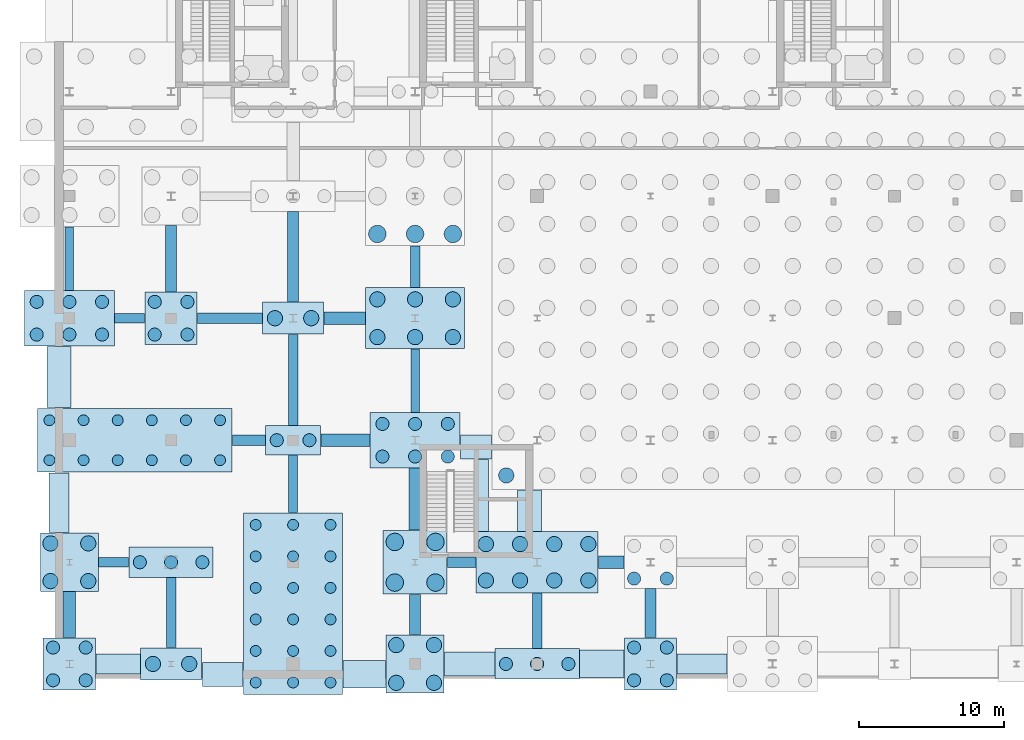
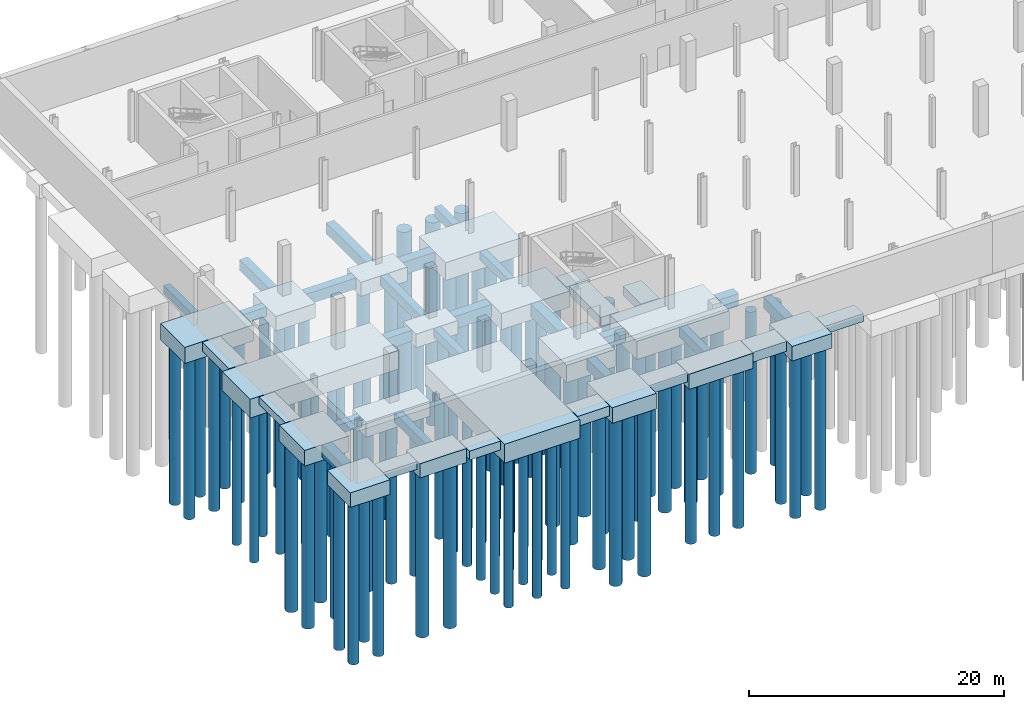
# One storey, part 1 of 32: 98 piles, 49 footings.
"""IFC4 building model written with IfcOpenShell, lengths in metres."""

import ifcopenshell
import ifcopenshell.guid

model = None  # the IFC model being written
_history = None  # IfcOwnerHistory: only IFC2X3 demands one
_inside = {}  # id of a spatial element -> (the spatial element, [elements in it])
_under = {}  # id of a project, library or spatial element -> (it, [spatial elements below it])
_declared = {}  # id of a project -> (the project, [libraries it declares])
_typed = {}  # id of a type object -> (the type object, [elements of that type])
_made_of = {}  # id of a material, layer set ... -> (it, [elements and type objects made of it])


def new_model(schema):
    """Start an empty IFC model of exactly this schema.

    Asked for "IFC4X3", IfcOpenShell would pick the latest addendum, in which some entities
    have other attributes; the version numbers below select the first issue.
    IFC2X3 requires an IfcOwnerHistory on every rooted entity: one is made here for all.
    """
    global model, _history
    if schema == "IFC4X3":
        model = ifcopenshell.file(schema_version=(4, 3, 0, 0))
    else:
        model = ifcopenshell.file(schema=schema)
    _inside.clear()
    _under.clear()
    _declared.clear()
    _typed.clear()
    _made_of.clear()
    _history = None
    if model.schema == "IFC2X3":
        org = make("IfcOrganization", Name="unknown")
        user = make(
            "IfcPersonAndOrganization",
            ThePerson=make("IfcPerson", FamilyName="unknown"),
            TheOrganization=org,
        )
        app = make(
            "IfcApplication",
            ApplicationDeveloper=org,
            Version="unknown",
            ApplicationFullName="unknown",
            ApplicationIdentifier="unknown",
        )
        _history = make(
            "IfcOwnerHistory",
            OwningUser=user,
            OwningApplication=app,
            ChangeAction="ADDED",
            CreationDate=0,
        )
    return model


def make(cls, **values):
    """One entity of the class cls with the attributes given. An attribute that is None is left unset."""
    return model.create_entity(
        cls, **{name: value for name, value in values.items() if value is not None}
    )


def rooted(cls, **values):
    """An entity with a GlobalId (a new one), such as an element, a storey or a relation."""
    return make(cls, GlobalId=ifcopenshell.guid.new(), OwnerHistory=_history, **values)


def si_unit(unit_type, name, prefix=None):
    """IfcSIUnit, for example si_unit("LENGTHUNIT", "METRE", prefix="MILLI")."""
    return make("IfcSIUnit", UnitType=unit_type, Prefix=prefix, Name=name)


def assignment(units):
    """IfcUnitAssignment: the units of a project."""
    return None if units is None else make("IfcUnitAssignment", Units=units)


def point(xyz):
    """IfcCartesianPoint."""
    return None if xyz is None else make("IfcCartesianPoint", Coordinates=xyz)


def direction(xyz):
    """IfcDirection."""
    return None if xyz is None else make("IfcDirection", DirectionRatios=xyz)


def frame(location, z_axis=None, x_axis=None):
    """IfcAxis2Placement3D, a coordinate frame: its origin and axes. An axis left out is left unset."""
    return make(
        "IfcAxis2Placement3D",
        Location=point(location),
        Axis=direction(z_axis),
        RefDirection=direction(x_axis),
    )


def frame_2d(location, x_axis=None):
    """IfcAxis2Placement2D, a coordinate frame in the plane: its origin and x axis."""
    return make(
        "IfcAxis2Placement2D", Location=point(location), RefDirection=direction(x_axis)
    )


def origin_with_axes():
    """The frame at (0, 0, 0) with the z axis (0, 0, 1) and the x axis (1, 0, 0) written out."""
    return frame((0.0, 0.0, 0.0), z_axis=(0.0, 0.0, 1.0), x_axis=(1.0, 0.0, 0.0))


def origin_2d_with_axis():
    """The frame at (0, 0) in the plane with the x axis (1, 0) written out."""
    return frame_2d((0.0, 0.0), x_axis=(1.0, 0.0))


def place(relative_to, where):
    """IfcLocalPlacement: puts the frame where relative to a parent placement (None: the world)."""
    return make(
        "IfcLocalPlacement", PlacementRelTo=relative_to, RelativePlacement=where
    )


def context(
    kind, dimensions, precision=None, world=None, true_north=None, identifier=None
):
    """IfcGeometricRepresentationContext, for example the 3D "Model" context."""
    return make(
        "IfcGeometricRepresentationContext",
        ContextIdentifier=identifier,
        ContextType=kind,
        CoordinateSpaceDimension=dimensions,
        Precision=precision,
        WorldCoordinateSystem=world,
        TrueNorth=true_north,
    )


def subcontext(parent, identifier, kind, view, scale=None):
    """IfcGeometricRepresentationSubContext, for example "Body" below "Model"."""
    return make(
        "IfcGeometricRepresentationSubContext",
        ContextIdentifier=identifier,
        ContextType=kind,
        ParentContext=parent,
        TargetScale=scale,
        TargetView=view,
    )


def project(units=None, contexts=None):
    """IfcProject with its units and contexts."""
    return rooted(
        "IfcProject",
        Name="project",
        RepresentationContexts=contexts,
        UnitsInContext=assignment(units),
    )


def spatial(cls, under=None, at=None, **own):
    """A site, building, storey or space (cls), placed at a placement, below another one or the project."""
    s = rooted(cls, ObjectPlacement=at, **own)
    if under is not None:
        _under.setdefault(under.id(), (under, []))[1].append(s)
    return s


def profile(cls, at=None, kind="AREA", **sizes):
    """A parametric profile (cls). Its sizes go by their IFC names, for example OverallWidth=200.0."""
    return make(cls, ProfileType=kind, Position=at, **sizes)


def rectangle(**sizes):
    """IfcRectangleProfileDef."""
    return profile("IfcRectangleProfileDef", **sizes)


def circle(**sizes):
    """IfcCircleProfileDef."""
    return profile("IfcCircleProfileDef", **sizes)


def extrude(swept, where, along, depth):
    """IfcExtrudedAreaSolid: the profile swept, set in the frame where, extruded along a direction by depth."""
    return make(
        "IfcExtrudedAreaSolid",
        SweptArea=swept,
        Position=where,
        ExtrudedDirection=direction(along),
        Depth=depth,
    )


def shape(context_of_items, identifier, shape_type, items):
    """IfcShapeRepresentation: the items that make up one representation, for example the "Body"."""
    return make(
        "IfcShapeRepresentation",
        ContextOfItems=context_of_items,
        RepresentationIdentifier=identifier,
        RepresentationType=shape_type,
        Items=items,
    )


def material(Name=None, Category=None):
    """IfcMaterial."""
    return make("IfcMaterial", Name=Name, Category=Category)


def material_profile(
    of_material, cross_section, Name=None, Category=None, Priority=None
):
    """IfcMaterialProfile: a cross section and its material."""
    return make(
        "IfcMaterialProfile",
        Name=Name,
        Material=of_material,
        Profile=cross_section,
        Priority=Priority,
        Category=Category,
    )


def profile_set(profiles, Name=None, composite=None):
    """IfcMaterialProfileSet."""
    return make(
        "IfcMaterialProfileSet",
        Name=Name,
        MaterialProfiles=profiles,
        CompositeProfile=composite,
    )


def made_of(thing, what):
    """Note that an element or type object is made of a material, layer set ...; save() writes the relation."""
    if what is not None:
        _made_of.setdefault(what.id(), (what, []))[1].append(thing)
    return thing


def type_object(cls, material=None, **own):
    """A type object (cls), such as IfcWallType, which elements share."""
    return made_of(rooted(cls, **own), material)


def element(
    cls,
    number,
    at=None,
    inside=None,
    cuts=None,
    type_object=None,
    material=None,
    context=None,
    identifier="Body",
    shape_type=None,
    held_by="IfcProductDefinitionShape",
    body=None,
    shapes=None,
    **own,
):
    """One element of the class cls, such as IfcWall. Its Tag is "e" and its number.

    at: its placement. inside: the storey or other place that contains it. cuts: it is an
    opening in that element (IfcRelVoidsElement). A single representation is given by context,
    identifier, shape_type and body (its items); several are given by shapes. held_by: the class
    of the entity that holds the representations. save() writes the other relations.
    """
    e = rooted(cls, Tag="e%d" % number, ObjectPlacement=at, **own)
    if body is not None:
        shapes = [shape(context, identifier, shape_type, body)]
    if shapes is not None:
        e.Representation = make(held_by, Representations=shapes)
    if inside is not None:
        _inside.setdefault(inside.id(), (inside, []))[1].append(e)
    if cuts is not None:
        rooted(
            "IfcRelVoidsElement", RelatingBuildingElement=cuts, RelatedOpeningElement=e
        )
    if type_object is not None:
        _typed.setdefault(type_object.id(), (type_object, []))[1].append(e)
    return made_of(e, material)


def aggregate(whole, parts):
    """IfcRelAggregates: a whole, such as a stair, and the parts it consists of."""
    return rooted("IfcRelAggregates", RelatingObject=whole, RelatedObjects=parts)


def save(model, path):
    """Write the relations noted so far, then the file.

    IfcRelAggregates (storeys below a building ...), IfcRelContainedInSpatialStructure (elements
    in a storey), IfcRelDefinesByType, IfcRelAssociatesMaterial and IfcRelDeclares: one each for
    every whole, place, type object, material and project.
    """
    for whole, parts in _under.values():
        aggregate(whole, parts)
    for where, things in _inside.values():
        rooted(
            "IfcRelContainedInSpatialStructure",
            RelatedElements=things,
            RelatingStructure=where,
        )
    for kind, things in _typed.values():
        rooted("IfcRelDefinesByType", RelatedObjects=things, RelatingType=kind)
    for what, things in _made_of.values():
        rooted("IfcRelAssociatesMaterial", RelatedObjects=things, RelatingMaterial=what)
    for by, libraries in _declared.values():
        rooted("IfcRelDeclares", RelatingContext=by, RelatedDefinitions=libraries)
    model.write(path)


model = new_model("IFC4")

# Units and contexts
model_context = context("Model", 3, precision=1e-05, world=origin_with_axes(), true_north=direction((0.0, 1.0)))
body_context = subcontext(model_context, "Body", "Model", "MODEL_VIEW")
ifc_project = project(units=[si_unit("LENGTHUNIT", "METRE"), si_unit("AREAUNIT", "SQUARE_METRE"), si_unit("VOLUMEUNIT", "CUBIC_METRE"), si_unit("PLANEANGLEUNIT", "RADIAN"), si_unit("MASSUNIT", "GRAM", prefix="KILO"), si_unit("THERMODYNAMICTEMPERATUREUNIT", "KELVIN")], contexts=[model_context])

# Site, building, storey
site_placement = place(None, origin_with_axes())
site = spatial("IfcSite", under=ifc_project, at=site_placement, CompositionType="ELEMENT")
building_placement = place(site_placement, origin_with_axes())
building = spatial("IfcBuilding", under=site, at=building_placement, Name="Montbau Bow Law Courts", CompositionType="ELEMENT")
storey_placement = place(building_placement, frame((0.0, 0.0, -4.8), z_axis=(0.0, 0.0, 1.0), x_axis=(1.0, 0.0, 0.0)))
storey = spatial("IfcBuildingStorey", under=building, at=storey_placement, Name="B1", CompositionType="ELEMENT", Elevation=-4.8)

# Footings
ifc_material_1 = material(Name="Concrete CSA A23.1 f'c 35 MPa", Category="concrete")
footing_type_1 = type_object("IfcFootingType", Name="FB-01", PredefinedType="FOOTING_BEAM", material=ifc_material_1)
for number, where, z_axis, x_axis, name in (
    (1, (9.85, 13.8, -6.25), (0.0, 0.0, 1.0), (1.0, 0.0, 0.0), "FB-001:fbm2_0019"),
    (2, (10.95, 30.6, -6.25), (0.0, 0.0, 1.0), (1.0, 0.0, 0.0), "FB-021:fbm2_0039"),
):
    element("IfcFooting", number, at=place(None, frame(where, z_axis=z_axis, x_axis=x_axis)), inside=storey, type_object=footing_type_1, Name=name, PredefinedType="FOOTING_BEAM", context=body_context, shape_type="SweptSolid", body=[
        extrude(rectangle(XDim=2.07, YDim=0.65, at=origin_2d_with_axis()), origin_with_axes(), (0.0, 0.0, 1.0), 0.9),
    ])
footing_1_placement = place(None, frame((13.8, 10.325, -6.25), z_axis=(0.0, 0.0, 1.0), x_axis=(0.0, 1.0, 0.0)))
element("IfcFooting", 3, at=footing_1_placement, inside=storey, type_object=footing_type_1, Name="FB-097:fbm2_0115", PredefinedType="FOOTING_BEAM", context=body_context, shape_type="SweptSolid", body=[
    extrude(rectangle(XDim=4.82, YDim=0.65, at=origin_2d_with_axis()), origin_with_axes(), (0.0, 0.0, 1.0), 0.9),
])
footing_2_placement = place(None, frame((22.2, 26.35, -6.25), z_axis=(0.0, 0.0, 1.0), x_axis=(0.0, 1.0, 0.0)))
element("IfcFooting", 4, at=footing_2_placement, inside=storey, type_object=footing_type_1, Name="FB-101:fbm2_0119", PredefinedType="FOOTING_BEAM", context=body_context, shape_type="SweptSolid", body=[
    extrude(rectangle(XDim=6.27, YDim=0.65, at=origin_2d_with_axis()), origin_with_axes(), (0.0, 0.0, 1.0), 0.9),
])
footing_3_placement = place(None, frame((30.6, 34.15, -6.25), z_axis=(0.0, 0.0, 1.0), x_axis=(0.0, 1.0, 0.0)))
element("IfcFooting", 5, at=footing_3_placement, inside=storey, type_object=footing_type_1, Name="FB-109:fbm2_0127", PredefinedType="FOOTING_BEAM", context=body_context, shape_type="SweptSolid", body=[
    extrude(rectangle(XDim=2.87, YDim=0.65, at=origin_2d_with_axis()), origin_with_axes(), (0.0, 0.0, 1.0), 0.9),
])
footing_4_placement = place(None, frame((39.0, 9.775, -6.25), z_axis=(0.0, 0.0, 1.0), x_axis=(0.0, 1.0, 0.0)))
element("IfcFooting", 6, at=footing_4_placement, inside=storey, type_object=footing_type_1, Name="FB-113:fbm2_0131", PredefinedType="FOOTING_BEAM", context=body_context, shape_type="SweptSolid", body=[
    extrude(rectangle(XDim=3.82, YDim=0.65, at=origin_2d_with_axis()), origin_with_axes(), (0.0, 0.0, 1.0), 0.9),
])
footing_type_2 = type_object("IfcFootingType", Name="FB-02", PredefinedType="FOOTING_BEAM", material=ifc_material_1)
footing_5_placement = place(None, frame((33.8, 13.8, -6.4), z_axis=(0.0, 0.0, 1.0), x_axis=(1.0, 0.0, 0.0)))
element("IfcFooting", 7, at=footing_5_placement, inside=storey, type_object=footing_type_2, Name="FB-002:fbm2_0020", PredefinedType="FOOTING_BEAM", context=body_context, shape_type="SweptSolid", body=[
    extrude(rectangle(XDim=1.97, YDim=0.75, at=origin_2d_with_axis()), origin_with_axes(), (0.0, 0.0, 1.0), 1.05),
])
footing_6_placement = place(None, frame((19.15, 22.2, -6.4), z_axis=(0.0, 0.0, 1.0), x_axis=(1.0, 0.0, 0.0)))
element("IfcFooting", 8, at=footing_6_placement, inside=storey, type_object=footing_type_2, Name="FB-018:fbm2_0036", PredefinedType="FOOTING_BEAM", context=body_context, shape_type="SweptSolid", body=[
    extrude(rectangle(XDim=2.27, YDim=0.75, at=origin_2d_with_axis()), origin_with_axes(), (0.0, 0.0, 1.0), 1.05),
])
footing_7_placement = place(None, frame((17.85, 30.6, -6.4), z_axis=(0.0, 0.0, 1.0), x_axis=(1.0, 0.0, 0.0)))
element("IfcFooting", 9, at=footing_7_placement, inside=storey, type_object=footing_type_2, Name="FB-022:fbm2_0040", PredefinedType="FOOTING_BEAM", context=body_context, shape_type="SweptSolid", body=[
    extrude(rectangle(XDim=4.47, YDim=0.75, at=origin_2d_with_axis()), origin_with_axes(), (0.0, 0.0, 1.0), 1.05),
])
footing_8_placement = place(None, frame((13.8, 34.7, -6.4), z_axis=(0.0, 0.0, 1.0), x_axis=(0.0, 1.0, 0.0)))
element("IfcFooting", 10, at=footing_8_placement, inside=storey, type_object=footing_type_2, Name="FB-098:fbm2_0116", PredefinedType="FOOTING_BEAM", context=body_context, shape_type="SweptSolid", body=[
    extrude(rectangle(XDim=4.57, YDim=0.75, at=origin_2d_with_axis()), origin_with_axes(), (0.0, 0.0, 1.0), 1.05),
])
footing_9_placement = place(None, frame((22.2, 34.825, -6.4), z_axis=(0.0, 0.0, 1.0), x_axis=(0.0, 1.0, 0.0)))
element("IfcFooting", 11, at=footing_9_placement, inside=storey, type_object=footing_type_2, Name="FB-102:fbm2_0120", PredefinedType="FOOTING_BEAM", context=body_context, shape_type="SweptSolid", body=[
    extrude(rectangle(XDim=6.22, YDim=0.75, at=origin_2d_with_axis()), origin_with_axes(), (0.0, 0.0, 1.0), 1.05),
])
footing_10_placement = place(None, frame((30.6, 10.2, -6.4), z_axis=(0.0, 0.0, 1.0), x_axis=(0.0, 1.0, 0.0)))
element("IfcFooting", 12, at=footing_10_placement, inside=storey, type_object=footing_type_2, Name="FB-106:fbm2_0124", PredefinedType="FOOTING_BEAM", context=body_context, shape_type="SweptSolid", body=[
    extrude(rectangle(XDim=2.77, YDim=0.75, at=origin_2d_with_axis()), origin_with_axes(), (0.0, 0.0, 1.0), 1.05),
])
footing_11_placement = place(None, frame((46.8, 10.3, -6.4), z_axis=(0.0, 0.0, 1.0), x_axis=(0.0, 1.0, 0.0)))
element("IfcFooting", 13, at=footing_11_placement, inside=storey, type_object=footing_type_2, Name="FB-114:fbm2_0132", PredefinedType="FOOTING_BEAM", context=body_context, shape_type="SweptSolid", body=[
    extrude(rectangle(XDim=3.37, YDim=0.75, at=origin_2d_with_axis()), origin_with_axes(), (0.0, 0.0, 1.0), 1.05),
])
footing_type_3 = type_object("IfcFootingType", Name="FB-03", PredefinedType="FOOTING_BEAM", material=ifc_material_1)
footing_12_placement = place(None, frame((44.1, 13.8, -6.55), z_axis=(0.0, 0.0, 1.0), x_axis=(1.0, 0.0, 0.0)))
element("IfcFooting", 14, at=footing_12_placement, inside=storey, type_object=footing_type_3, Name="FB-003:fbm2_0021", PredefinedType="FOOTING_BEAM", context=body_context, shape_type="SweptSolid", body=[
    extrude(rectangle(XDim=1.77, YDim=0.85, at=origin_2d_with_axis()), origin_with_axes(), (0.0, 0.0, 1.0), 1.2),
])
footing_13_placement = place(None, frame((25.8, 22.2, -6.55), z_axis=(0.0, 0.0, 1.0), x_axis=(1.0, 0.0, 0.0)))
element("IfcFooting", 15, at=footing_13_placement, inside=storey, type_object=footing_type_3, Name="FB-019:fbm2_0037", PredefinedType="FOOTING_BEAM", context=body_context, shape_type="SweptSolid", body=[
    extrude(rectangle(XDim=3.37, YDim=0.85, at=origin_2d_with_axis()), origin_with_axes(), (0.0, 0.0, 1.0), 1.2),
])
footing_14_placement = place(None, frame((25.75, 30.6, -6.55), z_axis=(0.0, 0.0, 1.0), x_axis=(1.0, 0.0, 0.0)))
element("IfcFooting", 16, at=footing_14_placement, inside=storey, type_object=footing_type_3, Name="FB-023:fbm2_0041", PredefinedType="FOOTING_BEAM", context=body_context, shape_type="SweptSolid", body=[
    extrude(rectangle(XDim=2.87, YDim=0.85, at=origin_2d_with_axis()), origin_with_axes(), (0.0, 0.0, 1.0), 1.2),
])
footing_15_placement = place(None, frame((6.8, 10.2, -6.55), z_axis=(0.0, 0.0, 1.0), x_axis=(0.0, 1.0, 0.0)))
element("IfcFooting", 17, at=footing_15_placement, inside=storey, type_object=footing_type_3, Name="FB-095:fbm2_0113", PredefinedType="FOOTING_BEAM", context=body_context, shape_type="SweptSolid", body=[
    extrude(rectangle(XDim=3.17, YDim=0.85, at=origin_2d_with_axis()), origin_with_axes(), (0.0, 0.0, 1.0), 1.2),
])
footing_16_placement = place(None, frame((30.6, 18.15, -6.55), z_axis=(0.0, 0.0, 1.0), x_axis=(0.0, 1.0, 0.0)))
element("IfcFooting", 18, at=footing_16_placement, inside=storey, type_object=footing_type_3, Name="FB-107:fbm2_0125", PredefinedType="FOOTING_BEAM", context=body_context, shape_type="SweptSolid", body=[
    extrude(rectangle(XDim=4.27, YDim=0.85, at=origin_2d_with_axis()), origin_with_axes(), (0.0, 0.0, 1.0), 1.2),
])
footing_type_4 = type_object("IfcFootingType", Name="FB-04", PredefinedType="FOOTING_BEAM", material=ifc_material_1)
footing_17_placement = place(None, frame((6.8, 34.7, -6.15), z_axis=(0.0, 0.0, 1.0), x_axis=(0.0, 1.0, 0.0)))
element("IfcFooting", 19, at=footing_17_placement, inside=storey, type_object=footing_type_4, Name="FB-096:fbm2_0114", PredefinedType="FOOTING_BEAM", context=body_context, shape_type="SweptSolid", body=[
    extrude(rectangle(XDim=4.37, YDim=0.6, at=origin_2d_with_axis()), origin_with_axes(), (0.0, 0.0, 1.0), 0.8),
])
footing_18_placement = place(None, frame((22.2, 19.2, -6.15), z_axis=(0.0, 0.0, 1.0), x_axis=(0.0, 1.0, 0.0)))
element("IfcFooting", 20, at=footing_18_placement, inside=storey, type_object=footing_type_4, Name="FB-100:fbm2_0118", PredefinedType="FOOTING_BEAM", context=body_context, shape_type="SweptSolid", body=[
    extrude(rectangle(XDim=3.97, YDim=0.6, at=origin_2d_with_axis()), origin_with_axes(), (0.0, 0.0, 1.0), 0.8),
])
footing_19_placement = place(None, frame((30.6, 26.3, -6.15), z_axis=(0.0, 0.0, 1.0), x_axis=(0.0, 1.0, 0.0)))
element("IfcFooting", 21, at=footing_19_placement, inside=storey, type_object=footing_type_4, Name="FB-108:fbm2_0126", PredefinedType="FOOTING_BEAM", context=body_context, shape_type="SweptSolid", body=[
    extrude(rectangle(XDim=4.37, YDim=0.6, at=origin_2d_with_axis()), origin_with_axes(), (0.0, 0.0, 1.0), 0.8),
])
footing_type_5 = type_object("IfcFootingType", Name="FC-01", PredefinedType="PILE_CAP", material=ifc_material_1)
for number, where, z_axis, x_axis, name in (
    (22, (6.8, 6.8, -6.75), (0.0, 0.0, 1.0), (1.0, 0.0, 0.0), "FCA-001:ftg2_0001"),
    (23, (13.8, 30.6, -6.75), (0.0, 0.0, 1.0), (1.0, 0.0, 0.0), "FCA-010:ftg2_0010"),
    (24, (46.8, 6.8, -6.75), (0.0, 0.0, 1.0), (1.0, 0.0, 0.0), "FC-PLZ-05:ftg2_0128"),
):
    element("IfcFooting", number, at=place(None, frame(where, z_axis=z_axis, x_axis=x_axis)), inside=storey, type_object=footing_type_5, Name=name, PredefinedType="PILE_CAP", context=body_context, shape_type="SweptSolid", body=[
        extrude(rectangle(XDim=3.6, YDim=3.6, at=origin_2d_with_axis()), origin_with_axes(), (0.0, 0.0, 1.0), 1.4),
    ])
footing_type_6 = type_object("IfcFootingType", Name="FC-02", PredefinedType="PILE_CAP", material=ifc_material_1)
for number, where, z_axis, x_axis, name in (
    (25, (6.8, 13.8, -6.85), (0.0, 0.0, 1.0), (1.0, 0.0, 0.0), "FCA-002:ftg2_0002"),
    (26, (30.6, 6.8, -6.85), (0.0, 0.0, 1.0), (1.0, 0.0, 0.0), "FCA-019:ftg2_0019"),
):
    element("IfcFooting", number, at=place(None, frame(where, z_axis=z_axis, x_axis=x_axis)), inside=storey, type_object=footing_type_6, Name=name, PredefinedType="PILE_CAP", context=body_context, shape_type="SweptSolid", body=[
        extrude(rectangle(XDim=4.0, YDim=4.0, at=origin_2d_with_axis()), origin_with_axes(), (0.0, 0.0, 1.0), 1.5),
    ])
footing_type_7 = type_object("IfcFootingType", Name="FC-03", PredefinedType="PILE_CAP", material=ifc_material_1)
footing_20_placement = place(None, frame((30.6, 13.8, -7.0), z_axis=(0.0, 0.0, 1.0), x_axis=(1.0, 0.0, 0.0)))
element("IfcFooting", 27, at=footing_20_placement, inside=storey, type_object=footing_type_7, Name="FCA-020:ftg2_0020", PredefinedType="PILE_CAP", context=body_context, shape_type="SweptSolid", body=[
    extrude(rectangle(XDim=4.4, YDim=4.4, at=origin_2d_with_axis()), origin_with_axes(), (0.0, 0.0, 1.0), 1.65),
])
footing_type_8 = type_object("IfcFootingType", Name="FC-04", PredefinedType="PILE_CAP", material=ifc_material_1)
for number, where, z_axis, x_axis, name in (
    (28, (6.8, 30.6, -6.9), (0.0, 0.0, 1.0), (1.0, 0.0, 0.0), "FCA-004:ftg2_0004"),
    (29, (30.6, 22.2, -6.9), (0.0, 0.0, 1.0), (1.0, 0.0, 0.0), "FCA-021:ftg2_0021"),
):
    element("IfcFooting", number, at=place(None, frame(where, z_axis=z_axis, x_axis=x_axis)), inside=storey, type_object=footing_type_8, Name=name, PredefinedType="PILE_CAP", context=body_context, shape_type="SweptSolid", body=[
        extrude(rectangle(XDim=6.2, YDim=3.8, at=origin_2d_with_axis()), origin_with_axes(), (0.0, 0.0, 1.0), 1.55),
    ])
footing_type_9 = type_object("IfcFootingType", Name="FC-05", PredefinedType="PILE_CAP", material=ifc_material_1)
footing_21_placement = place(None, frame((30.6, 30.6, -7.05), z_axis=(0.0, 0.0, 1.0), x_axis=(1.0, 0.0, 0.0)))
element("IfcFooting", 30, at=footing_21_placement, inside=storey, type_object=footing_type_9, Name="FCA-022:ftg2_0022", PredefinedType="PILE_CAP", context=body_context, shape_type="SweptSolid", body=[
    extrude(rectangle(XDim=6.8, YDim=4.2, at=origin_2d_with_axis()), origin_with_axes(), (0.0, 0.0, 1.0), 1.7),
])
footing_type_10 = type_object("IfcFootingType", Name="FC-07", PredefinedType="PILE_CAP", material=ifc_material_1)
footing_22_placement = place(None, frame((22.2, 22.2, -6.65), z_axis=(0.0, 0.0, 1.0), x_axis=(1.0, 0.0, 0.0)))
element("IfcFooting", 31, at=footing_22_placement, inside=storey, type_object=footing_type_10, Name="FCA-014:ftg2_0014", PredefinedType="PILE_CAP", context=body_context, shape_type="SweptSolid", body=[
    extrude(rectangle(XDim=3.8, YDim=2.0, at=origin_2d_with_axis()), origin_with_axes(), (0.0, 0.0, 1.0), 1.3),
])
footing_type_11 = type_object("IfcFootingType", Name="FC-08", PredefinedType="PILE_CAP", material=ifc_material_1)
for number, where, z_axis, x_axis, name in (
    (32, (13.8, 6.8, -6.7), (0.0, 0.0, 1.0), (1.0, 0.0, 0.0), "FCA-008:ftg2_0008"),
    (33, (22.2, 30.6, -6.7), (0.0, 0.0, 1.0), (1.0, 0.0, 0.0), "FCA-015:ftg2_0015"),
):
    element("IfcFooting", number, at=place(None, frame(where, z_axis=z_axis, x_axis=x_axis)), inside=storey, type_object=footing_type_11, Name=name, PredefinedType="PILE_CAP", context=body_context, shape_type="SweptSolid", body=[
        extrude(rectangle(XDim=4.2, YDim=2.2, at=origin_2d_with_axis()), origin_with_axes(), (0.0, 0.0, 1.0), 1.35),
    ])
footing_type_12 = type_object("IfcFootingType", Name="FC-09", PredefinedType="PILE_CAP", material=ifc_material_1)
for number, where, z_axis, x_axis, name in (
    (34, (13.8, 13.8, -6.8), (0.0, 0.0, 1.0), (1.0, 0.0, 0.0), "FCA-009:ftg2_0009"),
    (35, (39.0, 6.8, -6.8), (0.0, 0.0, 1.0), (1.0, 0.0, 0.0), "FCA-026:ftg2_0026"),
):
    element("IfcFooting", number, at=place(None, frame(where, z_axis=z_axis, x_axis=x_axis)), inside=storey, type_object=footing_type_12, Name=name, PredefinedType="PILE_CAP", context=body_context, shape_type="SweptSolid", body=[
        extrude(rectangle(XDim=5.8, YDim=2.1, at=origin_2d_with_axis()), origin_with_axes(), (0.0, 0.0, 1.0), 1.45),
    ])
footing_type_13 = type_object("IfcFootingType", Name="FC-10", PredefinedType="PILE_CAP", material=ifc_material_1)
footing_23_placement = place(None, frame((39.0, 13.8, -7.1), z_axis=(0.0, 0.0, 1.0), x_axis=(1.0, 0.0, 0.0)))
element("IfcFooting", 36, at=footing_23_placement, inside=storey, type_object=footing_type_13, Name="FCA-027:ftg2_0027", PredefinedType="PILE_CAP", context=body_context, shape_type="SweptSolid", body=[
    extrude(rectangle(XDim=8.4, YDim=4.2, at=origin_2d_with_axis()), origin_with_axes(), (0.0, 0.0, 1.0), 1.75),
])
footing_type_14 = type_object("IfcFootingType", Name="FC-CMB", PredefinedType="PILE_CAP", material=ifc_material_1)
footing_24_placement = place(None, frame((11.3, 22.2, -7.15), z_axis=(0.0, 0.0, 1.0), x_axis=(1.0, 0.0, 0.0)))
element("IfcFooting", 37, at=footing_24_placement, inside=storey, type_object=footing_type_14, Name="FCA-003:ftg2_0003", PredefinedType="PILE_CAP", context=body_context, shape_type="SweptSolid", body=[
    extrude(rectangle(XDim=13.4, YDim=4.4, at=origin_2d_with_axis()), origin_with_axes(), (0.0, 0.0, 1.0), 1.8),
])
footing_25_placement = place(None, frame((22.2, 10.95, -7.15), z_axis=(0.0, 0.0, 1.0), x_axis=(1.0, 0.0, 0.0)))
element("IfcFooting", 38, at=footing_25_placement, inside=storey, type_object=footing_type_14, Name="FCA-013:ftg2_0013", PredefinedType="PILE_CAP", context=body_context, shape_type="SweptSolid", body=[
    extrude(rectangle(XDim=6.8, YDim=12.5, at=origin_2d_with_axis()), origin_with_axes(), (0.0, 0.0, 1.0), 1.8),
])

# Piles
ifc_material_2 = material(Name="Concrete CSA A23.1 f'c 40 MPa", Category="concrete")
ifc_material_profile_1 = material_profile(ifc_material_2, circle(Radius=0.375, at=origin_2d_with_axis()), Name="BP750", Category="Main", Priority=0)
ifc_profile_set_1 = profile_set([ifc_material_profile_1], Name="Concrete CSA A23.1 f'c 40 MPa")
pile_type_1 = type_object("IfcPileType", Name="P-0750", PredefinedType="BORED", material=ifc_profile_set_1)
for number, where, z_axis, x_axis, name in (
    (39, (5.425, 20.825, -21.55), (0.0, 0.0, 1.0), (1.0, 0.0, 0.0), "FCA-003-P01:pil_e2_0001"),
    (40, (5.425, 23.575, -21.55), (0.0, 0.0, 1.0), (1.0, 0.0, 0.0), "FCA-003-P02:pil_e2_0002"),
    (41, (7.775, 20.825, -21.55), (0.0, 0.0, 1.0), (1.0, 0.0, 0.0), "FCA-003-P03:pil_e2_0003"),
    (42, (7.775, 23.575, -21.55), (0.0, 0.0, 1.0), (1.0, 0.0, 0.0), "FCA-003-P04:pil_e2_0004"),
    (43, (10.125, 20.825, -21.55), (0.0, 0.0, 1.0), (1.0, 0.0, 0.0), "FCA-003-P05:pil_e2_0005"),
    (44, (10.125, 23.575, -21.55), (0.0, 0.0, 1.0), (1.0, 0.0, 0.0), "FCA-003-P06:pil_e2_0006"),
    (45, (12.475, 20.825, -21.55), (0.0, 0.0, 1.0), (1.0, 0.0, 0.0), "FCA-003-P07:pil_e2_0007"),
    (46, (12.475, 23.575, -21.55), (0.0, 0.0, 1.0), (1.0, 0.0, 0.0), "FCA-003-P08:pil_e2_0008"),
    (47, (14.825, 20.825, -21.55), (0.0, 0.0, 1.0), (1.0, 0.0, 0.0), "FCA-003-P09:pil_e2_0009"),
    (48, (14.825, 23.575, -21.55), (0.0, 0.0, 1.0), (1.0, 0.0, 0.0), "FCA-003-P10:pil_e2_0010"),
    (49, (17.175, 20.825, -21.55), (0.0, 0.0, 1.0), (1.0, 0.0, 0.0), "FCA-003-P11:pil_e2_0011"),
    (50, (17.175, 23.575, -21.55), (0.0, 0.0, 1.0), (1.0, 0.0, 0.0), "FCA-003-P12:pil_e2_0012"),
    (51, (19.625, 5.525, -21.55), (0.0, 0.0, 1.0), (1.0, 0.0, 0.0), "FCA-013-P01:pil_e2_0021"),
    (52, (19.625, 7.695, -21.55), (0.0, 0.0, 1.0), (1.0, 0.0, 0.0), "FCA-013-P02:pil_e2_0022"),
    (53, (19.625, 9.865, -21.55), (0.0, 0.0, 1.0), (1.0, 0.0, 0.0), "FCA-013-P03:pil_e2_0023"),
    (54, (19.625, 12.035, -21.55), (0.0, 0.0, 1.0), (1.0, 0.0, 0.0), "FCA-013-P04:pil_e2_0024"),
    (55, (19.625, 14.205, -21.55), (0.0, 0.0, 1.0), (1.0, 0.0, 0.0), "FCA-013-P05:pil_e2_0025"),
    (56, (19.625, 16.375, -21.55), (0.0, 0.0, 1.0), (1.0, 0.0, 0.0), "FCA-013-P06:pil_e2_0026"),
    (57, (22.2, 5.525, -21.55), (0.0, 0.0, 1.0), (1.0, 0.0, 0.0), "FCA-013-P07:pil_e2_0027"),
    (58, (22.2, 7.695, -21.55), (0.0, 0.0, 1.0), (1.0, 0.0, 0.0), "FCA-013-P08:pil_e2_0028"),
    (59, (22.2, 9.865, -21.55), (0.0, 0.0, 1.0), (1.0, 0.0, 0.0), "FCA-013-P09:pil_e2_0029"),
    (60, (22.2, 12.035, -21.55), (0.0, 0.0, 1.0), (1.0, 0.0, 0.0), "FCA-013-P10:pil_e2_0030"),
    (61, (22.2, 14.205, -21.55), (0.0, 0.0, 1.0), (1.0, 0.0, 0.0), "FCA-013-P11:pil_e2_0031"),
    (62, (22.2, 16.375, -21.55), (0.0, 0.0, 1.0), (1.0, 0.0, 0.0), "FCA-013-P12:pil_e2_0032"),
    (63, (24.775, 5.525, -21.55), (0.0, 0.0, 1.0), (1.0, 0.0, 0.0), "FCA-013-P13:pil_e2_0033"),
    (64, (24.775, 7.695, -21.55), (0.0, 0.0, 1.0), (1.0, 0.0, 0.0), "FCA-013-P14:pil_e2_0034"),
    (65, (24.775, 9.865, -21.55), (0.0, 0.0, 1.0), (1.0, 0.0, 0.0), "FCA-013-P15:pil_e2_0035"),
    (66, (24.775, 12.035, -21.55), (0.0, 0.0, 1.0), (1.0, 0.0, 0.0), "FCA-013-P16:pil_e2_0036"),
    (67, (24.775, 14.205, -21.55), (0.0, 0.0, 1.0), (1.0, 0.0, 0.0), "FCA-013-P17:pil_e2_0037"),
    (68, (24.775, 16.375, -21.55), (0.0, 0.0, 1.0), (1.0, 0.0, 0.0), "FCA-013-P18:pil_e2_0038"),
):
    element("IfcPile", number, at=place(None, frame(where, z_axis=z_axis, x_axis=x_axis)), inside=storey, type_object=pile_type_1, Name=name, ConstructionType="CAST_IN_PLACE", PredefinedType="BORED", context=body_context, shape_type="SweptSolid", body=[
        extrude(circle(Radius=0.375, at=origin_2d_with_axis()), origin_with_axes(), (0.0, 0.0, 1.0), 14.5),
    ])
ifc_material_profile_2 = material_profile(ifc_material_2, circle(Radius=0.45, at=origin_2d_with_axis()), Name="BP900", Category="Main", Priority=0)
ifc_profile_set_2 = profile_set([ifc_material_profile_2], Name="Concrete CSA A23.1 f'c 40 MPa")
pile_type_2 = type_object("IfcPileType", Name="P-0900", PredefinedType="BORED", material=ifc_profile_set_2)
for number, where, z_axis, x_axis, name in (
    (69, (5.675, 5.675, -22.15), (0.0, 0.0, 1.0), (1.0, 0.0, 0.0), "FCA-001-P01:pil_f2_0001"),
    (70, (5.675, 7.925, -22.15), (0.0, 0.0, 1.0), (1.0, 0.0, 0.0), "FCA-001-P02:pil_f2_0002"),
    (71, (7.925, 5.675, -22.15), (0.0, 0.0, 1.0), (1.0, 0.0, 0.0), "FCA-001-P03:pil_f2_0003"),
    (72, (7.925, 7.925, -22.15), (0.0, 0.0, 1.0), (1.0, 0.0, 0.0), "FCA-001-P04:pil_f2_0004"),
    (73, (4.55, 29.475, -22.3), (0.0, 0.0, 1.0), (1.0, 0.0, 0.0), "FCA-004-P01:pil_f2_0009"),
    (74, (4.55, 31.725, -22.3), (0.0, 0.0, 1.0), (1.0, 0.0, 0.0), "FCA-004-P02:pil_f2_0010"),
    (75, (6.8, 29.475, -22.3), (0.0, 0.0, 1.0), (1.0, 0.0, 0.0), "FCA-004-P03:pil_f2_0011"),
    (76, (6.8, 31.725, -22.3), (0.0, 0.0, 1.0), (1.0, 0.0, 0.0), "FCA-004-P04:pil_f2_0012"),
    (77, (9.05, 29.475, -22.3), (0.0, 0.0, 1.0), (1.0, 0.0, 0.0), "FCA-004-P05:pil_f2_0013"),
    (78, (9.05, 31.725, -22.3), (0.0, 0.0, 1.0), (1.0, 0.0, 0.0), "FCA-004-P06:pil_f2_0014"),
    (79, (11.65, 13.8, -22.2), (0.0, 0.0, 1.0), (1.0, 0.0, 0.0), "FCA-009-P01:pil_f2_0025"),
    (80, (13.8, 13.8, -22.2), (0.0, 0.0, 1.0), (1.0, 0.0, 0.0), "FCA-009-P02:pil_f2_0026"),
    (81, (15.95, 13.8, -22.2), (0.0, 0.0, 1.0), (1.0, 0.0, 0.0), "FCA-009-P03:pil_f2_0027"),
    (82, (12.675, 29.475, -22.15), (0.0, 0.0, 1.0), (1.0, 0.0, 0.0), "FCA-010-P01:pil_f2_0028"),
    (83, (12.675, 31.725, -22.15), (0.0, 0.0, 1.0), (1.0, 0.0, 0.0), "FCA-010-P02:pil_f2_0029"),
    (84, (14.925, 29.475, -22.15), (0.0, 0.0, 1.0), (1.0, 0.0, 0.0), "FCA-010-P03:pil_f2_0030"),
    (85, (14.925, 31.725, -22.15), (0.0, 0.0, 1.0), (1.0, 0.0, 0.0), "FCA-010-P04:pil_f2_0031"),
    (86, (21.075, 22.2, -22.05), (0.0, 0.0, 1.0), (1.0, 0.0, 0.0), "FCA-014-P01:pil_f2_0042"),
    (87, (23.325, 22.2, -22.05), (0.0, 0.0, 1.0), (1.0, 0.0, 0.0), "FCA-014-P02:pil_f2_0043"),
    (88, (28.35, 21.075, -22.3), (0.0, 0.0, 1.0), (1.0, 0.0, 0.0), "FCA-021-P01:pil_f2_0069"),
    (89, (28.35, 23.325, -22.3), (0.0, 0.0, 1.0), (1.0, 0.0, 0.0), "FCA-021-P02:pil_f2_0070"),
    (90, (30.6, 21.075, -22.3), (0.0, 0.0, 1.0), (1.0, 0.0, 0.0), "FCA-021-P03:pil_f2_0071"),
    (91, (30.6, 23.325, -22.3), (0.0, 0.0, 1.0), (1.0, 0.0, 0.0), "FCA-021-P04:pil_f2_0072"),
    (92, (32.85, 21.075, -22.3), (0.0, 0.0, 1.0), (1.0, 0.0, 0.0), "FCA-021-P05:pil_f2_0073"),
    (93, (32.85, 23.325, -22.3), (0.0, 0.0, 1.0), (1.0, 0.0, 0.0), "FCA-021-P06:pil_f2_0074"),
    (94, (36.85, 6.8, -22.2), (0.0, 0.0, 1.0), (1.0, 0.0, 0.0), "FCA-026-P01:pil_f2_0094"),
    (95, (39.0, 6.8, -22.2), (0.0, 0.0, 1.0), (1.0, 0.0, 0.0), "FCA-026-P02:pil_f2_0095"),
    (96, (41.15, 6.8, -22.2), (0.0, 0.0, 1.0), (1.0, 0.0, 0.0), "FCA-026-P03:pil_f2_0096"),
    (97, (45.675, 5.675, -22.15), (0.0, 0.0, 1.0), (1.0, 0.0, 0.0), "FC-PLZ-05-P01:pil_f2_0471"),
    (98, (45.675, 7.925, -22.15), (0.0, 0.0, 1.0), (1.0, 0.0, 0.0), "FC-PLZ-05-P02:pil_f2_0472"),
    (99, (47.925, 5.675, -22.15), (0.0, 0.0, 1.0), (1.0, 0.0, 0.0), "FC-PLZ-05-P03:pil_f2_0473"),
    (100, (47.925, 7.925, -22.15), (0.0, 0.0, 1.0), (1.0, 0.0, 0.0), "FC-PLZ-05-P04:pil_f2_0474"),
    (101, (45.675, 12.675, -22.15), (0.0, 0.0, 1.0), (1.0, 0.0, 0.0), "FC-PLZ-06-P01:pil_f2_0475"),
    (102, (47.925, 12.675, -22.15), (0.0, 0.0, 1.0), (1.0, 0.0, 0.0), "FC-PLZ-06-P03:pil_f2_0477"),
):
    element("IfcPile", number, at=place(None, frame(where, z_axis=z_axis, x_axis=x_axis)), inside=storey, type_object=pile_type_2, Name=name, ConstructionType="CAST_IN_PLACE", PredefinedType="BORED", context=body_context, shape_type="SweptSolid", body=[
        extrude(circle(Radius=0.45, at=origin_2d_with_axis()), origin_with_axes(), (0.0, 0.0, 1.0), 15.5),
    ])
ifc_material_profile_3 = material_profile(ifc_material_2, circle(Radius=0.525, at=origin_2d_with_axis()), Name="BP1050", Category="Main", Priority=0)
ifc_profile_set_3 = profile_set([ifc_material_profile_3], Name="Concrete CSA A23.1 f'c 40 MPa")
pile_type_3 = type_object("IfcPileType", Name="P-1050", PredefinedType="BORED", material=ifc_profile_set_3)
for number, where, z_axis, x_axis, name in (
    (103, (36.875, 19.775, -23.05), (0.0, 0.0, 1.0), (1.0, 0.0, 0.0), "FCA-028-P01:pil_e2_0039"),
    (104, (5.5, 12.5, -22.75), (0.0, 0.0, 1.0), (1.0, 0.0, 0.0), "FCA-002-P01:pil_f2_0005"),
    (105, (5.5, 15.1, -22.75), (0.0, 0.0, 1.0), (1.0, 0.0, 0.0), "FCA-002-P02:pil_f2_0006"),
    (106, (8.1, 12.5, -22.75), (0.0, 0.0, 1.0), (1.0, 0.0, 0.0), "FCA-002-P03:pil_f2_0007"),
    (107, (8.1, 15.1, -22.75), (0.0, 0.0, 1.0), (1.0, 0.0, 0.0), "FCA-002-P04:pil_f2_0008"),
    (108, (12.55, 6.8, -22.6), (0.0, 0.0, 1.0), (1.0, 0.0, 0.0), "FCA-008-P01:pil_f2_0023"),
    (109, (15.05, 6.8, -22.6), (0.0, 0.0, 1.0), (1.0, 0.0, 0.0), "FCA-008-P02:pil_f2_0024"),
    (110, (20.95, 30.6, -22.6), (0.0, 0.0, 1.0), (1.0, 0.0, 0.0), "FCA-015-P01:pil_f2_0044"),
    (111, (23.45, 30.6, -22.6), (0.0, 0.0, 1.0), (1.0, 0.0, 0.0), "FCA-015-P02:pil_f2_0045"),
    (112, (29.3, 5.5, -22.75), (0.0, 0.0, 1.0), (1.0, 0.0, 0.0), "FCA-019-P01:pil_f2_0061"),
    (113, (29.3, 8.1, -22.75), (0.0, 0.0, 1.0), (1.0, 0.0, 0.0), "FCA-019-P02:pil_f2_0062"),
    (114, (31.9, 5.5, -22.75), (0.0, 0.0, 1.0), (1.0, 0.0, 0.0), "FCA-019-P03:pil_f2_0063"),
    (115, (31.9, 8.1, -22.75), (0.0, 0.0, 1.0), (1.0, 0.0, 0.0), "FCA-019-P04:pil_f2_0064"),
    (116, (28.0, 29.3, -22.95), (0.0, 0.0, 1.0), (1.0, 0.0, 0.0), "FCA-022-P01:pil_f2_0075"),
    (117, (28.0, 31.9, -22.95), (0.0, 0.0, 1.0), (1.0, 0.0, 0.0), "FCA-022-P02:pil_f2_0076"),
    (118, (30.6, 29.3, -22.95), (0.0, 0.0, 1.0), (1.0, 0.0, 0.0), "FCA-022-P03:pil_f2_0077"),
    (119, (30.6, 31.9, -22.95), (0.0, 0.0, 1.0), (1.0, 0.0, 0.0), "FCA-022-P04:pil_f2_0078"),
    (120, (33.2, 29.3, -22.95), (0.0, 0.0, 1.0), (1.0, 0.0, 0.0), "FCA-022-P05:pil_f2_0079"),
    (121, (33.2, 31.9, -22.95), (0.0, 0.0, 1.0), (1.0, 0.0, 0.0), "FCA-022-P06:pil_f2_0080"),
    (122, (35.475, 12.55, -23.0), (0.0, 0.0, 1.0), (1.0, 0.0, 0.0), "FCA-027-P01:pil_f2_0097"),
    (123, (35.475, 15.05, -23.0), (0.0, 0.0, 1.0), (1.0, 0.0, 0.0), "FCA-027-P02:pil_f2_0098"),
    (124, (37.825, 12.55, -23.0), (0.0, 0.0, 1.0), (1.0, 0.0, 0.0), "FCA-027-P03:pil_f2_0099"),
    (125, (37.825, 15.05, -23.0), (0.0, 0.0, 1.0), (1.0, 0.0, 0.0), "FCA-027-P04:pil_f2_0100"),
    (126, (40.175, 12.55, -23.0), (0.0, 0.0, 1.0), (1.0, 0.0, 0.0), "FCA-027-P05:pil_f2_0101"),
    (127, (40.175, 15.05, -23.0), (0.0, 0.0, 1.0), (1.0, 0.0, 0.0), "FCA-027-P06:pil_f2_0102"),
    (128, (42.525, 12.55, -23.0), (0.0, 0.0, 1.0), (1.0, 0.0, 0.0), "FCA-027-P07:pil_f2_0103"),
    (129, (42.525, 15.05, -23.0), (0.0, 0.0, 1.0), (1.0, 0.0, 0.0), "FCA-027-P08:pil_f2_0104"),
):
    element("IfcPile", number, at=place(None, frame(where, z_axis=z_axis, x_axis=x_axis)), inside=storey, type_object=pile_type_3, Name=name, ConstructionType="CAST_IN_PLACE", PredefinedType="BORED", context=body_context, shape_type="SweptSolid", body=[
        extrude(circle(Radius=0.525, at=origin_2d_with_axis()), origin_with_axes(), (0.0, 0.0, 1.0), 16.0),
    ])
ifc_material_profile_4 = material_profile(ifc_material_2, circle(Radius=0.6, at=origin_2d_with_axis()), Name="BP1200", Category="Main", Priority=0)
ifc_profile_set_4 = profile_set([ifc_material_profile_4], Name="Concrete CSA A23.1 f'c 40 MPa")
pile_type_4 = type_object("IfcPileType", Name="P-1200", PredefinedType="BORED", material=ifc_profile_set_4)
for number, where, z_axis, x_axis, name in (
    (130, (29.2, 12.4, -22.9), (0.0, 0.0, 1.0), (1.0, 0.0, 0.0), "FCA-020-P01:pil_f2_0065"),
    (131, (29.2, 15.2, -22.9), (0.0, 0.0, 1.0), (1.0, 0.0, 0.0), "FCA-020-P02:pil_f2_0066"),
    (132, (32.0, 12.4, -22.9), (0.0, 0.0, 1.0), (1.0, 0.0, 0.0), "FCA-020-P03:pil_f2_0067"),
    (133, (32.0, 15.2, -22.9), (0.0, 0.0, 1.0), (1.0, 0.0, 0.0), "FCA-020-P04:pil_f2_0068"),
    (134, (28.0, 36.4, -23.1), (0.0, 0.0, 1.0), (1.0, 0.0, 0.0), "FCA-023-P01:pil_f2_0081"),
    (135, (30.6, 36.4, -23.1), (0.0, 0.0, 1.0), (1.0, 0.0, 0.0), "FCA-023-P04:pil_f2_0084"),
    (136, (33.2, 36.4, -23.1), (0.0, 0.0, 1.0), (1.0, 0.0, 0.0), "FCA-023-P07:pil_f2_0087"),
):
    element("IfcPile", number, at=place(None, frame(where, z_axis=z_axis, x_axis=x_axis)), inside=storey, type_object=pile_type_4, Name=name, ConstructionType="CAST_IN_PLACE", PredefinedType="BORED", context=body_context, shape_type="SweptSolid", body=[
        extrude(circle(Radius=0.6, at=origin_2d_with_axis()), origin_with_axes(), (0.0, 0.0, 1.0), 16.0),
    ])

# Footings
footing_type_15 = type_object("IfcFootingType", Name="SF-01", PredefinedType="STRIP_FOOTING", material=ifc_material_1)
footing_26_placement = place(None, frame((10.15, 6.8, -6.1), z_axis=(0.0, 0.0, 1.0), x_axis=(1.0, 0.0, 0.0)))
element("IfcFooting", 137, at=footing_26_placement, inside=storey, type_object=footing_type_15, Name="SF-01:fbm2_0001", PredefinedType="STRIP_FOOTING", context=body_context, shape_type="SweptSolid", body=[
    extrude(rectangle(XDim=3.07, YDim=1.4, at=origin_2d_with_axis()), origin_with_axes(), (0.0, 0.0, 1.0), 0.75),
])
footing_27_placement = place(None, frame((50.35, 6.8, -6.1), z_axis=(0.0, 0.0, 1.0), x_axis=(1.0, 0.0, 0.0)))
element("IfcFooting", 138, at=footing_27_placement, inside=storey, type_object=footing_type_15, Name="SF-04:fbm2_0004", PredefinedType="STRIP_FOOTING", context=body_context, shape_type="SweptSolid", body=[
    extrude(rectangle(XDim=3.47, YDim=1.4, at=origin_2d_with_axis()), origin_with_axes(), (0.0, 0.0, 1.0), 0.75),
])
footing_28_placement = place(None, frame((6.08, 17.9, -6.1), z_axis=(0.0, 0.0, 1.0), x_axis=(0.0, 1.0, 0.0)))
element("IfcFooting", 139, at=footing_28_placement, inside=storey, type_object=footing_type_15, Name="SF-49:fbm2_0221", PredefinedType="STRIP_FOOTING", context=body_context, shape_type="SweptSolid", body=[
    extrude(rectangle(XDim=4.1, YDim=1.4, at=origin_2d_with_axis()), origin_with_axes(), (0.0, 0.0, 1.0), 0.75),
])
footing_type_16 = type_object("IfcFootingType", Name="SF-02", PredefinedType="STRIP_FOOTING", material=ifc_material_1)
footing_29_placement = place(None, frame((34.35, 6.8, -6.2), z_axis=(0.0, 0.0, 1.0), x_axis=(1.0, 0.0, 0.0)))
element("IfcFooting", 140, at=footing_29_placement, inside=storey, type_object=footing_type_16, Name="SF-02:fbm2_0002", PredefinedType="STRIP_FOOTING", context=body_context, shape_type="SweptSolid", body=[
    extrude(rectangle(XDim=3.47, YDim=1.65, at=origin_2d_with_axis()), origin_with_axes(), (0.0, 0.0, 1.0), 0.85),
])
footing_30_placement = place(None, frame((34.8, 21.72, -6.2), z_axis=(0.0, 0.0, 1.0), x_axis=(1.0, 0.0, 0.0)))
element("IfcFooting", 141, at=footing_30_placement, inside=storey, type_object=footing_type_16, Name="SF-32:fbm2_0204", PredefinedType="STRIP_FOOTING", context=body_context, shape_type="SweptSolid", body=[
    extrude(rectangle(XDim=2.14, YDim=1.65, at=origin_2d_with_axis()), origin_with_axes(), (0.0, 0.0, 1.0), 0.85),
])
footing_31_placement = place(None, frame((38.46, 17.35, -6.2), z_axis=(0.0, 0.0, 1.0), x_axis=(0.0, 1.0, 0.0)))
element("IfcFooting", 142, at=footing_31_placement, inside=storey, type_object=footing_type_16, Name="SF-33:fbm2_0205", PredefinedType="STRIP_FOOTING", context=body_context, shape_type="SweptSolid", body=[
    extrude(rectangle(XDim=2.84, YDim=1.65, at=origin_2d_with_axis()), origin_with_axes(), (0.0, 0.0, 1.0), 0.85),
])
footing_32_placement = place(None, frame((34.82, 18.4, -6.2), z_axis=(0.0, 0.0, 1.0), x_axis=(0.0, 1.0, 0.0)))
element("IfcFooting", 143, at=footing_32_placement, inside=storey, type_object=footing_type_16, Name="SF-34:fbm2_0206", PredefinedType="STRIP_FOOTING", context=body_context, shape_type="SweptSolid", body=[
    extrude(rectangle(XDim=4.94, YDim=1.65, at=origin_2d_with_axis()), origin_with_axes(), (0.0, 0.0, 1.0), 0.85),
])
footing_33_placement = place(None, frame((17.35, 6.08, -6.2), z_axis=(0.0, 0.0, 1.0), x_axis=(1.0, 0.0, 0.0)))
element("IfcFooting", 144, at=footing_33_placement, inside=storey, type_object=footing_type_16, Name="SF-35:fbm2_0207", PredefinedType="STRIP_FOOTING", context=body_context, shape_type="SweptSolid", body=[
    extrude(rectangle(XDim=2.8, YDim=1.65, at=origin_2d_with_axis()), origin_with_axes(), (0.0, 0.0, 1.0), 0.85),
])
footing_34_placement = place(None, frame((6.08, 26.55, -6.2), z_axis=(0.0, 0.0, 1.0), x_axis=(0.0, 1.0, 0.0)))
element("IfcFooting", 145, at=footing_34_placement, inside=storey, type_object=footing_type_16, Name="SF-50:fbm2_0222", PredefinedType="STRIP_FOOTING", context=body_context, shape_type="SweptSolid", body=[
    extrude(rectangle(XDim=4.2, YDim=1.65, at=origin_2d_with_axis()), origin_with_axes(), (0.0, 0.0, 1.0), 0.85),
])
footing_type_17 = type_object("IfcFootingType", Name="SF-03", PredefinedType="STRIP_FOOTING", material=ifc_material_1)
footing_35_placement = place(None, frame((43.45, 6.8, -6.3), z_axis=(0.0, 0.0, 1.0), x_axis=(1.0, 0.0, 0.0)))
element("IfcFooting", 146, at=footing_35_placement, inside=storey, type_object=footing_type_17, Name="SF-03:fbm2_0003", PredefinedType="STRIP_FOOTING", context=body_context, shape_type="SweptSolid", body=[
    extrude(rectangle(XDim=3.07, YDim=1.9, at=origin_2d_with_axis()), origin_with_axes(), (0.0, 0.0, 1.0), 0.95),
])
footing_36_placement = place(None, frame((27.1, 6.08, -6.3), z_axis=(0.0, 0.0, 1.0), x_axis=(1.0, 0.0, 0.0)))
element("IfcFooting", 147, at=footing_36_placement, inside=storey, type_object=footing_type_17, Name="SF-36:fbm2_0208", PredefinedType="STRIP_FOOTING", context=body_context, shape_type="SweptSolid", body=[
    extrude(rectangle(XDim=2.9, YDim=1.9, at=origin_2d_with_axis()), origin_with_axes(), (0.0, 0.0, 1.0), 0.95),
])

save(model, "model.ifc")
